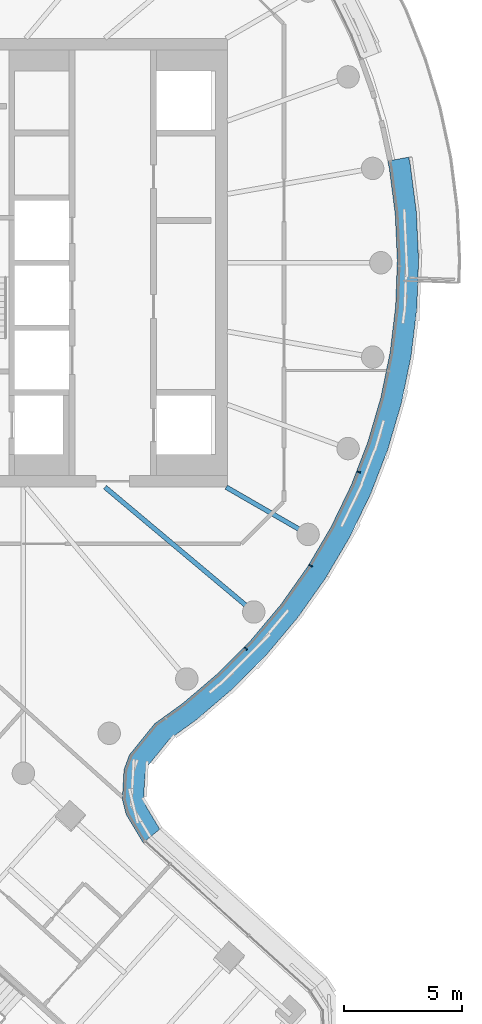
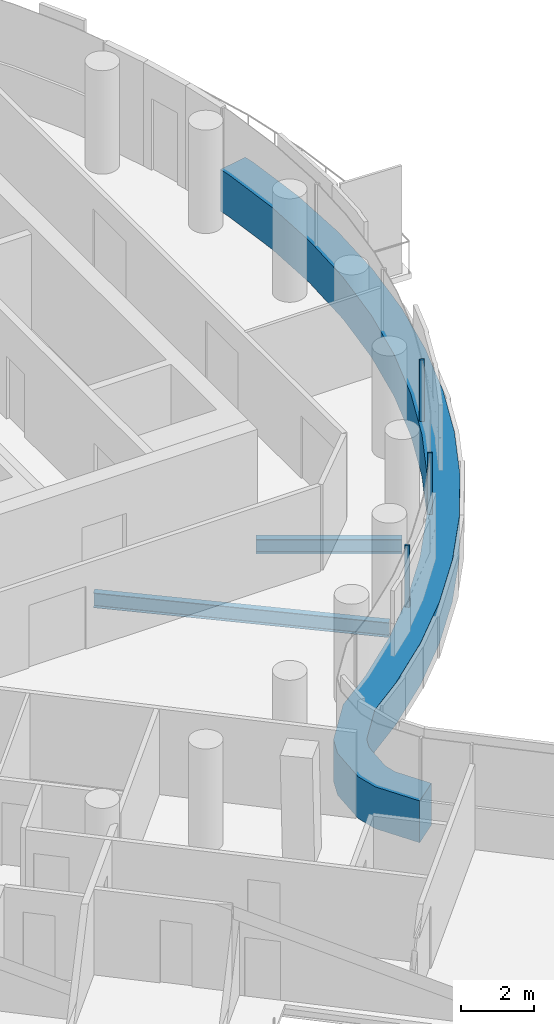
# One storey, part 7 of 31: 4 members, 2 beams, 1 element without a shape of its own.
"""IFC4 building model written with IfcOpenShell, lengths in metres."""

from ifc_helpers import new_model, si_unit, direction, frame, origin, origin_2d, place, context, subcontext, project, spatial, polyline, rectangle, i_section, outline, extrude, material, layer, layer_set, material_profile, profile_set, type_object, element, aggregate, save


model = new_model("IFC4")

# Units and contexts
model_context = context("Model", 3, precision=1e-05, world=origin(), true_north=direction((0.0, 1.0)))
body_context = subcontext(model_context, "Body", "Model", "MODEL_VIEW")
ifc_project = project(units=[si_unit("LENGTHUNIT", "METRE"), si_unit("AREAUNIT", "SQUARE_METRE"), si_unit("VOLUMEUNIT", "CUBIC_METRE"), si_unit("PLANEANGLEUNIT", "RADIAN"), si_unit("MASSUNIT", "GRAM", prefix="KILO")], contexts=[model_context])

# Site, building, storey
site_placement = place(None, origin())
site = spatial("IfcSite", under=ifc_project, at=site_placement, CompositionType="ELEMENT")
building_placement = place(site_placement, origin())
building = spatial("IfcBuilding", under=site, at=building_placement, Name="Tamarind Cross Interchange Tower", CompositionType="ELEMENT")
storey_placement = place(building_placement, frame((0.0, 0.0, 207.699951171875)))
storey = spatial("IfcBuildingStorey", under=building, at=storey_placement, Name="L52", CompositionType="ELEMENT", Elevation=207.699951171875)

# Beams
ifc_material_1 = material(Name="Steel Q355B", Category="steel")
ifc_material_profile_1 = material_profile(ifc_material_1, i_section(OverallWidth=0.198974609375, OverallDepth=0.49609375, WebThickness=0.009033203125, FlangeThickness=0.013916015625, FilletRadius=0.012939453125, at=origin_2d()), Name="HN 496x199x9x14")
ifc_profile_set_1 = profile_set([ifc_material_profile_1], Name="Steel Q355B")
beam_type = type_object("IfcBeamType", Name="Composite beam HN 496x199x9x14 Q355B", PredefinedType="BEAM", material=ifc_profile_set_1)
beam_1_placement = place(storey_placement, frame((17.619140625, -14.7841796875, -0.387939453125), z_axis=(-0.766040580814, 0.642792212574, 0.0), x_axis=(-0.642792212574, -0.766040580814, 0.0)))
element("IfcBeam", 1, at=beam_1_placement, inside=storey, type_object=beam_type, Name="Beam HH32", PredefinedType="BEAM", context=body_context, shape_type="SweptSolid", body=[
    extrude(i_section(OverallWidth=0.198974609375, OverallDepth=0.49609375, WebThickness=0.009033203125, FlangeThickness=0.013916015625, FilletRadius=0.012939453125, at=origin_2d()), origin(), (0.0, 0.0, 1.0), 8.220703125),
])
beam_2_placement = place(storey_placement, frame((19.918701171875, -11.5, -0.387939453125), z_axis=(-0.866026010844, 0.49999894854, 0.0), x_axis=(-0.49999894854, -0.866026010844, 0.0)))
element("IfcBeam", 2, at=beam_2_placement, inside=storey, type_object=beam_type, Name="Beam HH33", PredefinedType="BEAM", context=body_context, shape_type="SweptSolid", body=[
    extrude(i_section(OverallWidth=0.198974609375, OverallDepth=0.49609375, WebThickness=0.009033203125, FlangeThickness=0.013916015625, FilletRadius=0.012939453125, at=origin_2d()), origin(), (0.0, 0.0, 1.0), 4.0),
])

# Curtain wall, members
ifc_material_2 = material(Name="Aluminium 6063-T6", Category="aluminium")
ifc_layer = layer(ifc_material_2, 0.139892578125)
ifc_layer_set = layer_set([ifc_layer], Name="Aluminium 6063-T6")
curtain_wall_type = type_object("IfcCurtainWallType", Name="Hotel curtain wall, 4.5 m bays", PredefinedType="NOTDEFINED", material=ifc_layer_set)
curtain_wall_placement = place(storey_placement, origin())
curtain_wall = element("IfcCurtainWall", 3, at=curtain_wall_placement, inside=storey, type_object=curtain_wall_type, Name="CWS-L52-06", PredefinedType="NOTDEFINED")
ifc_material_3 = material(Name="Aluminium and insulated spandrel panel", Category="aluminium")
member_type_1 = type_object("IfcMemberType", Name="Floor-edge blade transom", PredefinedType="USERDEFINED", material=ifc_material_3)
member_1_placement = place(storey_placement, origin())
member_1 = element("IfcMember", 4, at=member_1_placement, type_object=member_type_1, Name="CWT-L52-06-0", ObjectType="TRANSOM", PredefinedType="USERDEFINED", context=body_context, shape_type="SweptSolid", body=[
    extrude(outline(polyline([(12.93603515625, -24.556396484375), (12.214111328125, -23.353759765625), (12.0546875, -22.70849609375), (12.124755859375, -21.458251953125), (12.356689453125, -20.830810546875), (13.422607421875, -19.512451171875), (14.63427734375, -18.636474609375), (16.12353515625, -17.3642578125), (17.50244140625, -15.973388671875), (18.76171875, -14.4736328125), (19.892822265625, -12.874755859375), (20.88818359375, -11.188232421875), (21.74072265625, -9.425048828125), (22.444580078125, -7.597412109375), (22.995361328125, -5.718017578125), (23.38916015625, -3.799560546875), (23.623046875, -1.855224609375), (23.695556640625, 0.10205078125), (23.606201171875, 2.058349609375), (23.35546875, 4.000732421875), (23.2900390625, 4.306396484375), (24.17529296875, 4.47021484375), (24.243408203125, 4.15283203125), (24.50341796875, 2.13671875), (24.59619140625, 0.10595703125), (24.52099609375, -1.925537109375), (24.2783203125, -3.944091796875), (23.86962890625, -5.935302734375), (23.2978515625, -7.88623046875), (22.567138671875, -9.783203125), (21.68212890625, -11.613525390625), (20.64892578125, -13.3642578125), (19.474853515625, -15.023681640625), (18.167724609375, -16.580810546875), (16.736572265625, -18.0244140625), (15.191162109375, -19.344482421875), (14.047119140625, -20.171630859375), (13.149658203125, -21.28173828125), (13.015869140625, -21.6435546875), (12.9609375, -22.623779296875), (13.055419921875, -23.006591796875), (13.63916015625, -23.979248046875), (12.93603515625, -24.556396484375)])), origin(), (0.0, 0.0, 1.0), 1.400146484375),
])
ifc_material_profile_2 = material_profile(ifc_material_2, rectangle(XDim=0.06005859375, YDim=0.139892578125, at=origin_2d()), Name="Mullion CW2")
ifc_profile_set_2 = profile_set([ifc_material_profile_2], Name="Aluminium 6063-T6")
member_type_2 = type_object("IfcMemberType", Name="Mullion CW2", PredefinedType="MULLION", material=ifc_profile_set_2)
member_2_placement = place(storey_placement, frame((17.283203125, -16.336669921875, 1.400146484375), z_axis=(0.0, 0.0, 1.0), x_axis=(0.704057148523, 0.710143317658, 0.0)))
member_2 = element("IfcMember", 5, at=member_2_placement, type_object=member_type_2, Name="CWM-L52-06-02", PredefinedType="MULLION", context=body_context, shape_type="SweptSolid", body=[
    extrude(rectangle(XDim=0.06005859375, YDim=0.139892578125, at=origin_2d()), origin(), (0.0, 0.0, 1.0), 2.059814453125),
])
member_3_placement = place(storey_placement, frame((20.0361328125, -12.82861328125, 1.400146484375), z_axis=(0.0, 0.0, 1.0), x_axis=(0.508183308752, 0.861248933065, 0.0)))
member_3 = element("IfcMember", 6, at=member_3_placement, type_object=member_type_2, Name="CWM-L52-06-03", PredefinedType="MULLION", context=body_context, shape_type="SweptSolid", body=[
    extrude(rectangle(XDim=0.06005859375, YDim=0.139892578125, at=origin_2d()), origin(), (0.0, 0.0, 1.0), 2.059814453125),
])
member_4_placement = place(storey_placement, frame((22.066162109375, -8.85791015625, 1.400146484375), z_axis=(0.0, 0.0, 1.0), x_axis=(0.359495435512, 0.933146843667, 0.0)))
member_4 = element("IfcMember", 7, at=member_4_placement, type_object=member_type_2, Name="CWM-L52-06-04", PredefinedType="MULLION", context=body_context, shape_type="SweptSolid", body=[
    extrude(rectangle(XDim=0.06005859375, YDim=0.139892578125, at=origin_2d()), origin(), (0.0, 0.0, 1.0), 2.059814453125),
])
aggregate(curtain_wall, [member_2, member_3, member_4, member_1])

save(model, "model.ifc")
